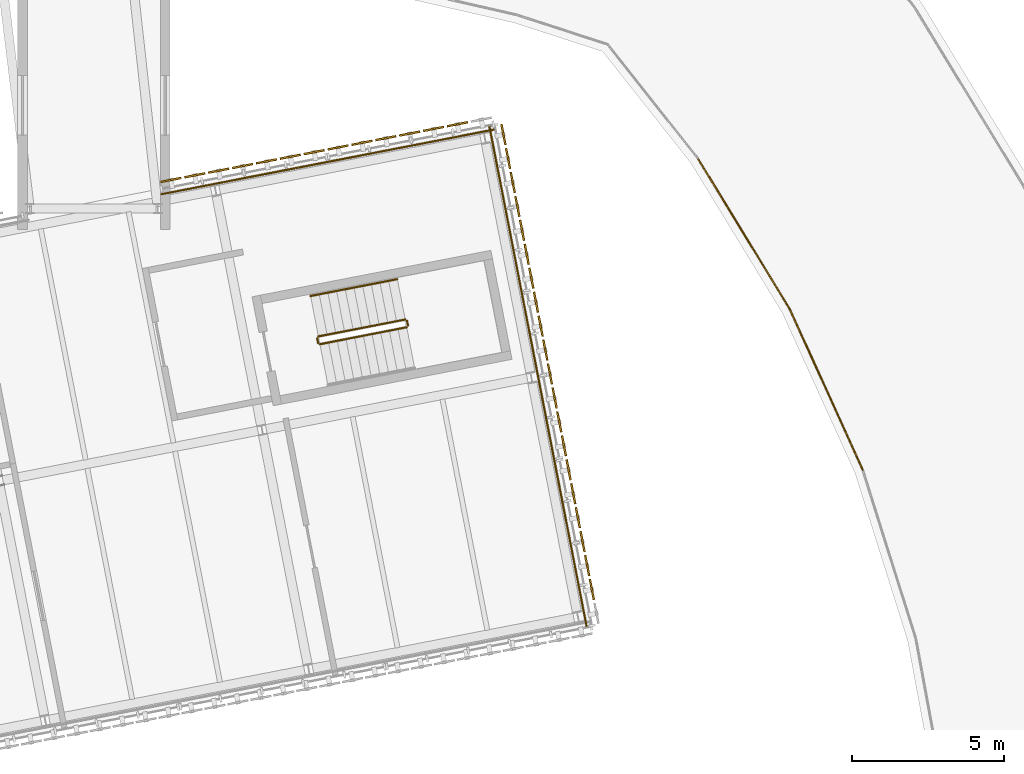
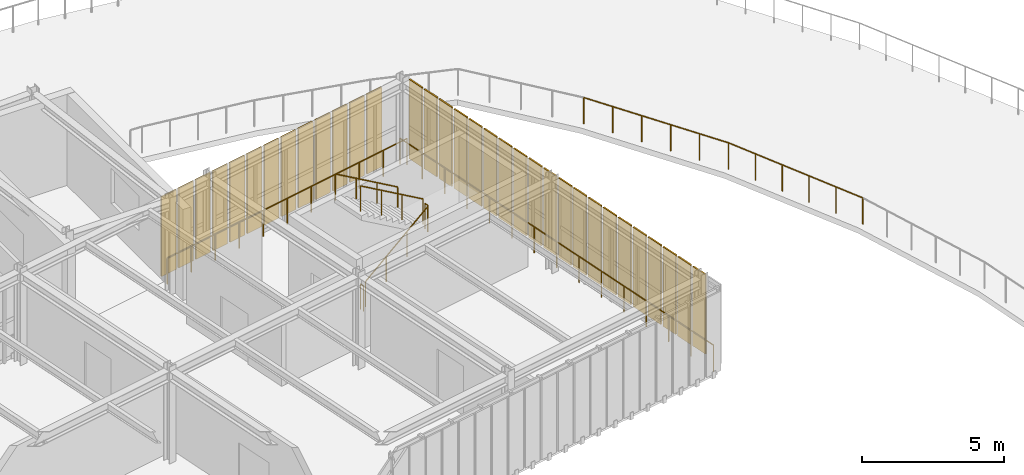
# One storey, part 56 of 59: 33 shading devices, 9 railings.
"""IFC4 building model written with IfcOpenShell, lengths in metres."""

from ifc_helpers import new_model, si_unit, direction, frame, origin, origin_2d, place, context, subcontext, project, spatial, rectangle, circle, extrude, material, layer, layer_set, type_object, element, save


model = new_model("IFC4")

# Units and contexts
model_context = context("Model", 3, precision=1e-05, world=origin(), true_north=direction((0.0, 1.0)))
body_context = subcontext(model_context, "Body", "Model", "MODEL_VIEW")
ifc_project = project(units=[si_unit("LENGTHUNIT", "METRE"), si_unit("AREAUNIT", "SQUARE_METRE"), si_unit("VOLUMEUNIT", "CUBIC_METRE"), si_unit("PLANEANGLEUNIT", "RADIAN"), si_unit("MASSUNIT", "GRAM", prefix="KILO")], contexts=[model_context])

# Site, building, storey
site_placement = place(None, origin())
site = spatial("IfcSite", under=ifc_project, at=site_placement, CompositionType="ELEMENT")
building_placement = place(site_placement, origin())
building = spatial("IfcBuilding", under=site, at=building_placement, Name="Varnklinge Art Gallery", CompositionType="ELEMENT")
storey_placement = place(building_placement, frame((0.0, 0.0, 9.52001953125)))
storey = spatial("IfcBuildingStorey", under=building, at=storey_placement, Name="L02", CompositionType="ELEMENT", Elevation=9.52001953125)

# Railings
ifc_material_1 = material(Name="Anodised Aluminium", Category="aluminium")
railing_type_1 = type_object("IfcRailingType", Name="BAL-01", PredefinedType="BALUSTRADE", material=ifc_material_1)
railing_1_placement = place(storey_placement, frame((90.47265625, 66.853271484375, 0.0)))
element("IfcRailing", 1, at=railing_1_placement, inside=storey, type_object=railing_type_1, Name="BAL-V4B-L02-2-1", PredefinedType="BALUSTRADE", context=body_context, shape_type="SweptSolid", body=[
    extrude(circle(Radius=0.02392578125, at=origin_2d()), frame((0.0, 0.0, 1.11572265625), z_axis=(-0.19080897967, 0.981627186501, 0.0), x_axis=(-0.981627186501, -0.19080897967, 0.0)), (0.0, 0.0, 1.0), 16.7998046875),
    extrude(circle(Radius=0.02099609375, at=origin_2d()), origin(), (0.0, 0.0, 1.0), 1.091796875),
    extrude(circle(Radius=0.02099609375, at=origin_2d()), frame((-0.22900390625, 1.177978515625, 0.0)), (0.0, 0.0, 1.0), 1.091796875),
    extrude(circle(Radius=0.02099609375, at=origin_2d()), frame((-0.4580078125, 2.35595703125, 0.0)), (0.0, 0.0, 1.0), 1.091796875),
    extrude(circle(Radius=0.02099609375, at=origin_2d()), frame((-0.68701171875, 3.533935546875, 0.0)), (0.0, 0.0, 1.0), 1.091796875),
    extrude(circle(Radius=0.02099609375, at=origin_2d()), frame((-0.915771484375, 4.711669921875, 0.0)), (0.0, 0.0, 1.0), 1.091796875),
    extrude(circle(Radius=0.02099609375, at=origin_2d()), frame((-1.144775390625, 5.8896484375, 0.0)), (0.0, 0.0, 1.0), 1.091796875),
    extrude(circle(Radius=0.02099609375, at=origin_2d()), frame((-1.373779296875, 7.067626953125, 0.0)), (0.0, 0.0, 1.0), 1.091796875),
    extrude(circle(Radius=0.02099609375, at=origin_2d()), frame((-1.602783203125, 8.24560546875, 0.0)), (0.0, 0.0, 1.0), 1.091796875),
    extrude(circle(Radius=0.02099609375, at=origin_2d()), frame((-1.831787109375, 9.423583984375, 0.0)), (0.0, 0.0, 1.0), 1.091796875),
    extrude(circle(Radius=0.02099609375, at=origin_2d()), frame((-2.060791015625, 10.6015625, 0.0)), (0.0, 0.0, 1.0), 1.091796875),
    extrude(circle(Radius=0.02099609375, at=origin_2d()), frame((-2.289794921875, 11.779541015625, 0.0)), (0.0, 0.0, 1.0), 1.091796875),
    extrude(circle(Radius=0.02099609375, at=origin_2d()), frame((-2.5185546875, 12.957275390625, 0.0)), (0.0, 0.0, 1.0), 1.091796875),
    extrude(circle(Radius=0.02099609375, at=origin_2d()), frame((-2.74755859375, 14.13525390625, 0.0)), (0.0, 0.0, 1.0), 1.091796875),
    extrude(circle(Radius=0.02099609375, at=origin_2d()), frame((-2.9765625, 15.313232421875, 0.0)), (0.0, 0.0, 1.0), 1.091796875),
    extrude(circle(Radius=0.02099609375, at=origin_2d()), frame((-3.20556640625, 16.4912109375, 0.0)), (0.0, 0.0, 1.0), 1.091796875),
])
railing_2_placement = place(storey_placement, frame((87.47802734375, 83.2021484375, 0.0)))
element("IfcRailing", 2, at=railing_2_placement, inside=storey, type_object=railing_type_1, Name="BAL-V4B-L02-3-1", PredefinedType="BALUSTRADE", context=body_context, shape_type="SweptSolid", body=[
    extrude(circle(Radius=0.02392578125, at=origin_2d()), frame((0.0, 0.0, 1.11572265625), z_axis=(-0.981627333063, -0.190808225673, 0.0), x_axis=(0.190808225673, -0.981627333063, 0.0)), (0.0, 0.0, 1.0), 11.1689453125),
    extrude(circle(Radius=0.02099609375, at=origin_2d()), origin(), (0.0, 0.0, 1.0), 1.091796875),
    extrude(circle(Radius=0.02099609375, at=origin_2d()), frame((-1.096435546875, -0.213134765625, 0.0)), (0.0, 0.0, 1.0), 1.091796875),
    extrude(circle(Radius=0.02099609375, at=origin_2d()), frame((-2.192626953125, -0.42626953125, 0.0)), (0.0, 0.0, 1.0), 1.091796875),
    extrude(circle(Radius=0.02099609375, at=origin_2d()), frame((-3.2890625, -0.639404296875, 0.0)), (0.0, 0.0, 1.0), 1.091796875),
    extrude(circle(Radius=0.02099609375, at=origin_2d()), frame((-4.385498046875, -0.8525390625, 0.0)), (0.0, 0.0, 1.0), 1.091796875),
    extrude(circle(Radius=0.02099609375, at=origin_2d()), frame((-5.48193359375, -1.0654296875, 0.0)), (0.0, 0.0, 1.0), 1.091796875),
    extrude(circle(Radius=0.02099609375, at=origin_2d()), frame((-6.578125, -1.278564453125, 0.0)), (0.0, 0.0, 1.0), 1.091796875),
    extrude(circle(Radius=0.02099609375, at=origin_2d()), frame((-7.674560546875, -1.49169921875, 0.0)), (0.0, 0.0, 1.0), 1.091796875),
    extrude(circle(Radius=0.02099609375, at=origin_2d()), frame((-8.77099609375, -1.704833984375, 0.0)), (0.0, 0.0, 1.0), 1.091796875),
    extrude(circle(Radius=0.02099609375, at=origin_2d()), frame((-9.8671875, -1.91796875, 0.0)), (0.0, 0.0, 1.0), 1.091796875),
    extrude(circle(Radius=0.02099609375, at=origin_2d()), frame((-10.963623046875, -2.131103515625, 0.0)), (0.0, 0.0, 1.0), 1.091796875),
])
ifc_material_2 = material(Name="Steel S355", Category="steel")
railing_type_2 = type_object("IfcRailingType", Name="GR-EXT", PredefinedType="GUARDRAIL", material=ifc_material_2)
railing_3_placement = place(storey_placement, frame((99.522705078125, 72.0283203125, 0.0)))
element("IfcRailing", 3, at=railing_3_placement, inside=storey, type_object=railing_type_2, Name="L02 Roof Sculpture Garden Guardrail I10.1", PredefinedType="GUARDRAIL", context=body_context, shape_type="SweptSolid", body=[
    extrude(circle(Radius=0.02392578125, at=origin_2d()), frame((0.0, 0.0, 1.1259765625), z_axis=(-0.413381162395, 0.91055807864, 0.0), x_axis=(-0.91055807864, -0.413381162395, 0.0)), (0.0, 0.0, 1.0), 5.80078125),
    extrude(circle(Radius=0.02099609375, at=origin_2d()), origin(), (0.0, 0.0, 1.0), 1.101806640625),
    extrude(circle(Radius=0.02099609375, at=origin_2d()), frame((-0.4794921875, 1.056396484375, 0.0)), (0.0, 0.0, 1.0), 1.101806640625),
    extrude(circle(Radius=0.02099609375, at=origin_2d()), frame((-0.959228515625, 2.11279296875, 0.0)), (0.0, 0.0, 1.0), 1.101806640625),
    extrude(circle(Radius=0.02099609375, at=origin_2d()), frame((-1.438720703125, 3.169189453125, 0.0)), (0.0, 0.0, 1.0), 1.101806640625),
    extrude(circle(Radius=0.02099609375, at=origin_2d()), frame((-1.91845703125, 4.2255859375, 0.0)), (0.0, 0.0, 1.0), 1.101806640625),
    extrude(circle(Radius=0.02099609375, at=origin_2d()), frame((-2.39794921875, 5.281982421875, 0.0)), (0.0, 0.0, 1.0), 1.101806640625),
])
railing_4_placement = place(storey_placement, frame((97.124755859375, 77.310302734375, 0.0)))
element("IfcRailing", 4, at=railing_4_placement, inside=storey, type_object=railing_type_2, Name="L02 Roof Sculpture Garden Guardrail I11.1", PredefinedType="GUARDRAIL", context=body_context, shape_type="SweptSolid", body=[
    extrude(circle(Radius=0.02392578125, at=origin_2d()), frame((0.0, 0.0, 1.1259765625), z_axis=(-0.52096132854, 0.85358027986, 0.0), x_axis=(-0.85358027986, -0.52096132854, 0.0)), (0.0, 0.0, 1.0), 5.80078125),
    extrude(circle(Radius=0.02099609375, at=origin_2d()), origin(), (0.0, 0.0, 1.0), 1.101806640625),
    extrude(circle(Radius=0.02099609375, at=origin_2d()), frame((-0.6044921875, 0.990234375, 0.0)), (0.0, 0.0, 1.0), 1.101806640625),
    extrude(circle(Radius=0.02099609375, at=origin_2d()), frame((-1.208740234375, 1.98046875, 0.0)), (0.0, 0.0, 1.0), 1.101806640625),
    extrude(circle(Radius=0.02099609375, at=origin_2d()), frame((-1.813232421875, 2.970947265625, 0.0)), (0.0, 0.0, 1.0), 1.101806640625),
    extrude(circle(Radius=0.02099609375, at=origin_2d()), frame((-2.41748046875, 3.961181640625, 0.0)), (0.0, 0.0, 1.0), 1.101806640625),
    extrude(circle(Radius=0.02099609375, at=origin_2d()), frame((-3.02197265625, 4.951416015625, 0.0)), (0.0, 0.0, 1.0), 1.101806640625),
])
ifc_material_3 = material(Name="Steel S355", Category="steel")
railing_type_3 = type_object("IfcRailingType", Name="GR-INT", PredefinedType="GUARDRAIL", material=ifc_material_3)
railing_5_placement = place(storey_placement, frame((81.717041015625, 76.1533203125, 0.18896484375)))
element("IfcRailing", 5, at=railing_5_placement, inside=storey, type_object=railing_type_3, Name="L02 ST-10 stair guard 1", PredefinedType="GUARDRAIL", context=body_context, shape_type="SweptSolid", body=[
    extrude(circle(Radius=0.02392578125, at=origin_2d()), frame((0.0, 0.0, 1.076171875), z_axis=(0.822237872922, 0.159863915773, 0.546231094653), x_axis=(-0.190851632439, 0.981618894681, 0.0)), (0.0, 0.0, 1.0), 3.462158203125),
    extrude(circle(Radius=0.02099609375, at=origin_2d()), origin(), (0.0, 0.0, 1.0), 1.052001953125),
    extrude(circle(Radius=0.02099609375, at=origin_2d()), frame((0.948974609375, 0.1845703125, 0.63037109375)), (0.0, 0.0, 1.0), 1.052001953125),
    extrude(circle(Radius=0.02099609375, at=origin_2d()), frame((1.897705078125, 0.368896484375, 1.2607421875)), (0.0, 0.0, 1.0), 1.052001953125),
    extrude(circle(Radius=0.02099609375, at=origin_2d()), frame((2.8466796875, 0.553466796875, 1.89111328125)), (0.0, 0.0, 1.0), 1.052001953125),
])
railing_6_placement = place(storey_placement, frame((84.603271484375, 76.765380859375, 2.080078125)))
element("IfcRailing", 6, at=railing_6_placement, inside=storey, type_object=railing_type_3, Name="L02 ST-10 stair guard 2", PredefinedType="GUARDRAIL", context=body_context, shape_type="SweptSolid", body=[
    extrude(circle(Radius=0.02392578125, at=origin_2d()), frame((0.0, 0.0, 1.076171875), z_axis=(-0.190828797455, 0.981623334106, 0.0), x_axis=(-0.981623334106, -0.190828797455, 0.0)), (0.0, 0.0, 1.0), 0.159912109375),
    extrude(circle(Radius=0.02099609375, at=origin_2d()), origin(), (0.0, 0.0, 1.0), 1.052001953125),
    extrude(circle(Radius=0.02099609375, at=origin_2d()), frame((-0.030517578125, 0.156982421875, 0.0)), (0.0, 0.0, 1.0), 1.052001953125),
])
railing_7_placement = place(storey_placement, frame((84.51416015625, 76.9619140625, 2.26904296875)))
element("IfcRailing", 7, at=railing_7_placement, inside=storey, type_object=railing_type_3, Name="L02 ST-10 stair guard 3", PredefinedType="GUARDRAIL", context=body_context, shape_type="SweptSolid", body=[
    extrude(circle(Radius=0.02392578125, at=origin_2d()), frame((0.0, 0.0, 1.076171875), z_axis=(-0.822278812995, -0.159801354223, 0.546187770724), x_axis=(0.190770510067, -0.981634663451, 0.0)), (0.0, 0.0, 1.0), 3.4619140625),
    extrude(circle(Radius=0.02099609375, at=origin_2d()), origin(), (0.0, 0.0, 1.0), 1.052001953125),
    extrude(circle(Radius=0.02099609375, at=origin_2d()), frame((-0.948974609375, -0.184326171875, 0.63037109375)), (0.0, 0.0, 1.0), 1.052001953125),
    extrude(circle(Radius=0.02099609375, at=origin_2d()), frame((-1.897705078125, -0.368896484375, 1.260498046875)), (0.0, 0.0, 1.0), 1.052001953125),
    extrude(circle(Radius=0.02099609375, at=origin_2d()), frame((-2.8466796875, -0.55322265625, 1.890869140625)), (0.0, 0.0, 1.0), 1.052001953125),
])
railing_8_placement = place(storey_placement, frame((81.658447265625, 76.19287109375, 0.0)))
element("IfcRailing", 8, at=railing_8_placement, inside=storey, type_object=railing_type_3, Name="L02 ST-10 stair guard 4", PredefinedType="GUARDRAIL", context=body_context, shape_type="SweptSolid", body=[
    extrude(circle(Radius=0.02392578125, at=origin_2d()), frame((0.0, 0.0, 1.076171875), z_axis=(-0.190828797455, 0.981623334106, 0.0), x_axis=(-0.981623334106, -0.190828797455, 0.0)), (0.0, 0.0, 1.0), 0.159912109375),
    extrude(circle(Radius=0.02099609375, at=origin_2d()), origin(), (0.0, 0.0, 1.0), 1.052001953125),
    extrude(circle(Radius=0.02099609375, at=origin_2d()), frame((-0.030517578125, 0.156982421875, 0.0)), (0.0, 0.0, 1.0), 1.052001953125),
])
ifc_material_4 = material(Name="Steel S355", Category="steel")
railing_type_4 = type_object("IfcRailingType", Name="HR-01", PredefinedType="HANDRAIL", material=ifc_material_4)
railing_9_placement = place(storey_placement, frame((84.256591796875, 78.287109375, 2.26904296875)))
element("IfcRailing", 9, at=railing_9_placement, inside=storey, type_object=railing_type_4, Name="L02 ST-10 stair handrail 2", PredefinedType="HANDRAIL", context=body_context, shape_type="SweptSolid", body=[
    extrude(circle(Radius=0.02392578125, at=origin_2d()), frame((0.0, 0.0, 0.8759765625), z_axis=(-0.822278812995, -0.159801354223, 0.546187770724), x_axis=(0.190770510067, -0.981634663451, 0.0)), (0.0, 0.0, 1.0), 3.4619140625),
    extrude(circle(Radius=0.02099609375, at=origin_2d()), origin(), (0.0, 0.0, 1.0), 0.851806640625),
    extrude(circle(Radius=0.02099609375, at=origin_2d()), frame((-0.948974609375, -0.184326171875, 0.63037109375)), (0.0, 0.0, 1.0), 0.851806640625),
    extrude(circle(Radius=0.02099609375, at=origin_2d()), frame((-1.897705078125, -0.368896484375, 1.260498046875)), (0.0, 0.0, 1.0), 0.851806640625),
    extrude(circle(Radius=0.02099609375, at=origin_2d()), frame((-2.8466796875, -0.55322265625, 1.890869140625)), (0.0, 0.0, 1.0), 0.851806640625),
])

# Shading devices
ifc_material_5 = material(Name="Perforated Aluminium-Precast Lattice", Category="concrete")
ifc_layer = layer(ifc_material_5, 0.06005859375)
ifc_layer_set = layer_set([ifc_layer], Name="Perforated Aluminium-Precast Lattice")
shading_device_type = type_object("IfcShadingDeviceType", Name="SHD-LAT", PredefinedType="USERDEFINED", material=ifc_layer_set)
for number, where, z_axis, x_axis, name in (
    (10, (90.63623046875, 68.107421875, 0.10009765625), (0.0, 0.0, 1.0), (-0.190808995377, 0.981627183448, 0.0), "L02 Perforated Lattice Screen 2.1.2"),
    (11, (90.483642578125, 68.892578125, 0.10009765625), (0.0, 0.0, 1.0), (-0.190808995377, 0.981627183448, 0.0), "L02 Perforated Lattice Screen 2.1.3"),
    (12, (90.3310546875, 69.677978515625, 0.10009765625), (0.0, 0.0, 1.0), (-0.190808995377, 0.981627183448, 0.0), "L02 Perforated Lattice Screen 2.1.4"),
    (13, (90.17822265625, 70.46337890625, 0.10009765625), (0.0, 0.0, 1.0), (-0.190808995377, 0.981627183448, 0.0), "L02 Perforated Lattice Screen 2.1.5"),
    (14, (90.025634765625, 71.24853515625, 0.10009765625), (0.0, 0.0, 1.0), (-0.190808995377, 0.981627183448, 0.0), "L02 Perforated Lattice Screen 2.1.6"),
    (15, (89.873046875, 72.033935546875, 0.10009765625), (0.0, 0.0, 1.0), (-0.190808995377, 0.981627183448, 0.0), "L02 Perforated Lattice Screen 2.1.7"),
    (16, (89.720458984375, 72.819091796875, 0.10009765625), (0.0, 0.0, 1.0), (-0.190808995377, 0.981627183448, 0.0), "L02 Perforated Lattice Screen 2.2.1"),
    (17, (89.56787109375, 73.6044921875, 0.10009765625), (0.0, 0.0, 1.0), (-0.190808995377, 0.981627183448, 0.0), "L02 Perforated Lattice Screen 2.2.2"),
    (18, (89.4150390625, 74.389892578125, 0.10009765625), (0.0, 0.0, 1.0), (-0.190808995377, 0.981627183448, 0.0), "L02 Perforated Lattice Screen 2.2.3"),
    (19, (89.262451171875, 75.175048828125, 0.10009765625), (0.0, 0.0, 1.0), (-0.190808995377, 0.981627183448, 0.0), "L02 Perforated Lattice Screen 2.2.4"),
    (20, (89.10986328125, 75.96044921875, 0.10009765625), (0.0, 0.0, 1.0), (-0.190808995377, 0.981627183448, 0.0), "L02 Perforated Lattice Screen 2.2.5"),
    (21, (88.957275390625, 76.74560546875, 0.10009765625), (0.0, 0.0, 1.0), (-0.190808995377, 0.981627183448, 0.0), "L02 Perforated Lattice Screen 2.2.6"),
    (22, (88.804443359375, 77.531005859375, 0.10009765625), (0.0, 0.0, 1.0), (-0.190808995377, 0.981627183448, 0.0), "L02 Perforated Lattice Screen 2.2.7"),
    (23, (88.65185546875, 78.31640625, 0.10009765625), (0.0, 0.0, 1.0), (-0.190808995377, 0.981627183448, 0.0), "L02 Perforated Lattice Screen 2.3.1"),
    (24, (88.499267578125, 79.1015625, 0.10009765625), (0.0, 0.0, 1.0), (-0.190808995377, 0.981627183448, 0.0), "L02 Perforated Lattice Screen 2.3.2"),
    (25, (88.3466796875, 79.886962890625, 0.10009765625), (0.0, 0.0, 1.0), (-0.190808995377, 0.981627183448, 0.0), "L02 Perforated Lattice Screen 2.3.3"),
    (26, (88.19384765625, 80.672119140625, 0.10009765625), (0.0, 0.0, 1.0), (-0.190808995377, 0.981627183448, 0.0), "L02 Perforated Lattice Screen 2.3.4"),
    (27, (88.041259765625, 81.45751953125, 0.10009765625), (0.0, 0.0, 1.0), (-0.190808995377, 0.981627183448, 0.0), "L02 Perforated Lattice Screen 2.3.5"),
    (28, (87.888671875, 82.242919921875, 0.10009765625), (0.0, 0.0, 1.0), (-0.190808995377, 0.981627183448, 0.0), "L02 Perforated Lattice Screen 2.3.6"),
    (29, (87.736083984375, 83.028076171875, 0.10009765625), (0.0, 0.0, 1.0), (-0.190808995377, 0.981627183448, 0.0), "L02 Perforated Lattice Screen 2.3.7"),
    (30, (86.22705078125, 83.366455078125, 0.10009765625), (0.0, 0.0, 1.0), (-0.981627183448, -0.190808995377, 0.0), "L02 Perforated Lattice Screen 3.1.2"),
    (31, (85.44384765625, 83.214111328125, 0.10009765625), (0.0, 0.0, 1.0), (-0.981627183448, -0.190808995377, 0.0), "L02 Perforated Lattice Screen 3.1.3"),
    (32, (84.660888671875, 83.06201171875, 0.10009765625), (0.0, 0.0, 1.0), (-0.981627183448, -0.190808995377, 0.0), "L02 Perforated Lattice Screen 3.1.4"),
    (33, (83.877685546875, 82.909912109375, 0.10009765625), (0.0, 0.0, 1.0), (-0.981627183448, -0.190808995377, 0.0), "L02 Perforated Lattice Screen 3.1.5"),
    (34, (83.094482421875, 82.757568359375, 0.10009765625), (0.0, 0.0, 1.0), (-0.981627183448, -0.190808995377, 0.0), "L02 Perforated Lattice Screen 3.1.6"),
    (35, (82.311279296875, 82.605224609375, 0.10009765625), (0.0, 0.0, 1.0), (-0.981627183448, -0.190808995377, 0.0), "L02 Perforated Lattice Screen 3.1.7"),
    (36, (81.5283203125, 82.453125, 0.10009765625), (0.0, 0.0, 1.0), (-0.981627183448, -0.190808995377, 0.0), "L02 Perforated Lattice Screen 3.2.1"),
    (37, (80.7451171875, 82.30078125, 0.10009765625), (0.0, 0.0, 1.0), (-0.981627183448, -0.190808995377, 0.0), "L02 Perforated Lattice Screen 3.2.2"),
    (38, (79.962158203125, 82.148681640625, 0.10009765625), (0.0, 0.0, 1.0), (-0.981627183448, -0.190808995377, 0.0), "L02 Perforated Lattice Screen 3.2.3"),
    (39, (79.178955078125, 81.996337890625, 0.10009765625), (0.0, 0.0, 1.0), (-0.981627183448, -0.190808995377, 0.0), "L02 Perforated Lattice Screen 3.2.4"),
    (40, (78.395751953125, 81.84423828125, 0.10009765625), (0.0, 0.0, 1.0), (-0.981627183448, -0.190808995377, 0.0), "L02 Perforated Lattice Screen 3.2.5"),
    (41, (77.61279296875, 81.69189453125, 0.10009765625), (0.0, 0.0, 1.0), (-0.981627183448, -0.190808995377, 0.0), "L02 Perforated Lattice Screen 3.2.6"),
    (42, (76.82958984375, 81.539794921875, 0.10009765625), (0.0, 0.0, 1.0), (-0.981627183448, -0.190808995377, 0.0), "L02 Perforated Lattice Screen 3.2.7"),
):
    element("IfcShadingDevice", number, at=place(storey_placement, frame(where, z_axis=z_axis, x_axis=x_axis)), inside=storey, type_object=shading_device_type, Name=name, ObjectType="LATTICE SCREEN", PredefinedType="USERDEFINED", context=body_context, shape_type="SweptSolid", body=[
        extrude(rectangle(XDim=0.679931640625, YDim=0.06005859375, at=origin_2d()), origin(), (0.0, 0.0, 1.0), 3.409912109375),
    ])

save(model, "model.ifc")
